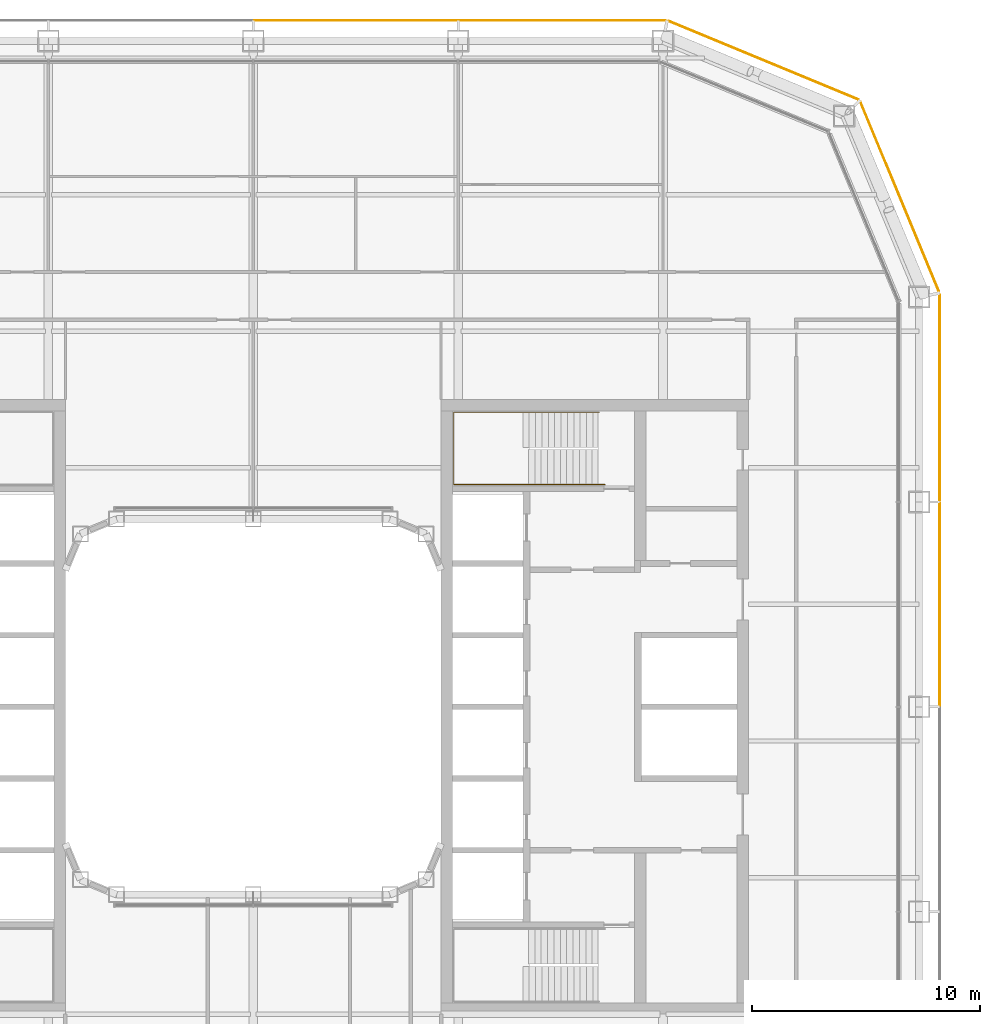
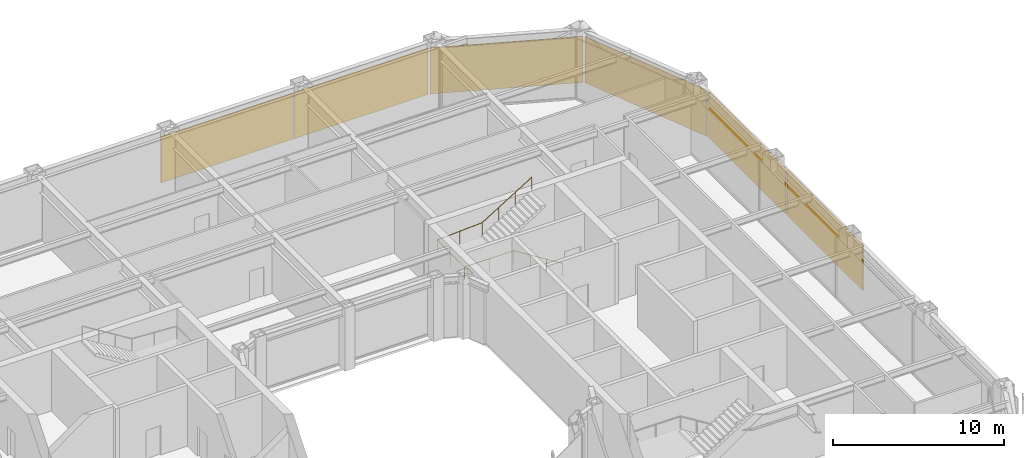
# One storey, part 22 of 23: 6 coverings, 1 railing.
"""IFC4 building model written with IfcOpenShell, lengths in metres."""

from ifc_helpers import new_model, si_unit, direction, frame, origin, origin_2d, place, context, subcontext, project, spatial, rectangle, circle, extrude, material, layer, layer_set, type_object, element, save


model = new_model("IFC4")

# Units and contexts
model_context = context("Model", 3, precision=1e-05, world=origin(), true_north=direction((0.0, 1.0)))
body_context = subcontext(model_context, "Body", "Model", "MODEL_VIEW")
ifc_project = project(units=[si_unit("LENGTHUNIT", "METRE"), si_unit("AREAUNIT", "SQUARE_METRE"), si_unit("VOLUMEUNIT", "CUBIC_METRE"), si_unit("PLANEANGLEUNIT", "RADIAN"), si_unit("MASSUNIT", "GRAM", prefix="KILO")], contexts=[model_context])

# Site, building, storey
site_placement = place(None, origin())
site = spatial("IfcSite", under=ifc_project, at=site_placement, CompositionType="ELEMENT")
building_placement = place(site_placement, origin())
building = spatial("IfcBuilding", under=site, at=building_placement, Name="Siwar Civic Tower", CompositionType="ELEMENT")
storey_placement = place(building_placement, frame((0.0, 0.0, 109.199951171875)))
storey = spatial("IfcBuildingStorey", under=building, at=storey_placement, Name="L23", CompositionType="ELEMENT", Elevation=109.199951171875)

# Railing
ifc_material_1 = material(Name="Stainless steel", Category="steel")
railing_type = type_object("IfcRailingType", Name="CORE-STAIR-HANDRAIL", PredefinedType="HANDRAIL", material=ifc_material_1)
railing_placement = place(storey_placement, frame((15.449951171875, 9.758056640625, 0.173095703125)))
element("IfcRailing", 1, at=railing_placement, inside=storey, type_object=railing_type, Name="Stair handrail ST3", PredefinedType="HANDRAIL", context=body_context, shape_type="SweptSolid", body=[
    extrude(circle(Radius=0.02001953125, at=origin_2d()), frame((0.0, 0.0, 0.8798828125), z_axis=(-0.847063342986, 0.0, 0.531491950051), x_axis=(0.0, -1.0, 0.0)), (0.0, 0.0, 1.0), 3.90771484375),
    extrude(circle(Radius=0.02001953125, at=origin_2d()), frame((-3.31005859375, 0.0, 2.956787109375), z_axis=(-1.0, 0.0, 0.0), x_axis=(0.0, -1.0, 0.0)), (0.0, 0.0, 1.0), 3.331787109375),
    extrude(circle(Radius=0.02001953125, at=origin_2d()), frame((-6.641845703125, 0.0, 2.956787109375), z_axis=(0.0, 1.0, 0.0), x_axis=(-1.0, 0.0, 0.0)), (0.0, 0.0, 1.0), 3.183837890625),
    extrude(circle(Radius=0.02001953125, at=origin_2d()), frame((-6.641845703125, 3.183837890625, 2.956787109375), z_axis=(0.99837434197, 0.0, 0.056997134106), x_axis=(0.0, 1.0, 0.0)), (0.0, 0.0, 1.0), 3.036865234375),
    extrude(circle(Radius=0.02001953125, at=origin_2d()), frame((-3.60986328125, 3.183837890625, 3.1298828125), z_axis=(0.850606129759, 0.0, 0.525803396734), x_axis=(0.0, 1.0, 0.0)), (0.0, 0.0, 1.0), 3.949951171875),
    extrude(circle(Radius=0.02001953125, at=origin_2d()), origin(), (0.0, 0.0, 1.0), 0.85986328125),
    extrude(circle(Radius=0.02001953125, at=origin_2d()), frame((-1.103271484375, 0.0, 0.6923828125)), (0.0, 0.0, 1.0), 0.85986328125),
    extrude(circle(Radius=0.02001953125, at=origin_2d()), frame((-2.206787109375, 0.0, 1.384521484375)), (0.0, 0.0, 1.0), 0.85986328125),
    extrude(circle(Radius=0.02001953125, at=origin_2d()), frame((-3.31005859375, 0.0, 2.076904296875)), (0.0, 0.0, 1.0), 0.85986328125),
    extrude(circle(Radius=0.02001953125, at=origin_2d()), frame((-4.97607421875, 0.0, 2.076904296875)), (0.0, 0.0, 1.0), 0.85986328125),
    extrude(circle(Radius=0.02001953125, at=origin_2d()), frame((-6.641845703125, 0.0, 2.076904296875)), (0.0, 0.0, 1.0), 0.85986328125),
    extrude(circle(Radius=0.02001953125, at=origin_2d()), frame((-6.641845703125, 1.591796875, 2.076904296875)), (0.0, 0.0, 1.0), 0.85986328125),
    extrude(circle(Radius=0.02001953125, at=origin_2d()), frame((-6.641845703125, 3.183837890625, 2.076904296875)), (0.0, 0.0, 1.0), 0.85986328125),
    extrude(circle(Radius=0.02001953125, at=origin_2d()), frame((-5.1259765625, 3.183837890625, 2.16357421875)), (0.0, 0.0, 1.0), 0.85986328125),
    extrude(circle(Radius=0.02001953125, at=origin_2d()), frame((-3.60986328125, 3.183837890625, 2.25)), (0.0, 0.0, 1.0), 0.85986328125),
    extrude(circle(Radius=0.02001953125, at=origin_2d()), frame((-2.489990234375, 3.183837890625, 2.9423828125)), (0.0, 0.0, 1.0), 0.85986328125),
    extrude(circle(Radius=0.02001953125, at=origin_2d()), frame((-1.369873046875, 3.183837890625, 3.634521484375)), (0.0, 0.0, 1.0), 0.85986328125),
    extrude(circle(Radius=0.02001953125, at=origin_2d()), frame((-0.25, 3.183837890625, 4.326904296875)), (0.0, 0.0, 1.0), 0.85986328125),
])

# Coverings
ifc_material_2 = material(Name="Perforated aluminium cassette, pale metal", Category="aluminium")
ifc_layer = layer(ifc_material_2, 0.0400390625)
ifc_layer_set = layer_set([ifc_layer], Name="Perforated aluminium cassette, pale metal")
covering_type = type_object("IfcCoveringType", Name="ENV-OUTER SKIN OS-1", PredefinedType="CLADDING", material=ifc_layer_set)
covering_1_placement = place(storey_placement, frame((30.14990234375, 4.5, -0.14990234375), z_axis=(0.0, 0.0, 1.0), x_axis=(0.0, 1.0, 0.0)))
element("IfcCovering", 2, at=covering_1_placement, inside=storey, type_object=covering_type, Name="OUTER SKIN OS-1 E 3", PredefinedType="CLADDING", context=body_context, shape_type="SweptSolid", body=[
    extrude(rectangle(XDim=8.89990234375, YDim=0.0400390625, at=origin_2d()), origin(), (0.0, 0.0, 1.0), 3.300048828125),
])
covering_2_placement = place(storey_placement, frame((30.14990234375, 13.57958984375, -0.14990234375), z_axis=(0.0, 0.0, 1.0), x_axis=(0.0, 1.0, 0.0)))
element("IfcCovering", 3, at=covering_2_placement, inside=storey, type_object=covering_type, Name="OUTER SKIN OS-1 E 4", PredefinedType="CLADDING", context=body_context, shape_type="SweptSolid", body=[
    extrude(rectangle(XDim=9.05908203125, YDim=0.0400390625, at=origin_2d()), origin(), (0.0, 0.0, 1.0), 3.300048828125),
])
for number, where, z_axis, x_axis, name in (
    (4, (28.39697265625, 22.411376953125, -0.14990234375), (0.0, 0.0, 1.0), (-0.382683432365, 0.923879532511, 0.0), "OUTER SKIN OS-1 NE1 1"),
    (5, (22.411376953125, 28.39697265625, -0.14990234375), (0.0, 0.0, 1.0), (-0.923879532511, 0.382683432365, 0.0), "OUTER SKIN OS-1 NE2 1"),
):
    element("IfcCovering", number, at=place(storey_placement, frame(where, z_axis=z_axis, x_axis=x_axis)), inside=storey, type_object=covering_type, Name=name, PredefinedType="CLADDING", context=body_context, shape_type="SweptSolid", body=[
        extrude(rectangle(XDim=9.022216796875, YDim=0.0400390625, at=origin_2d()), origin(), (0.0, 0.0, 1.0), 3.300048828125),
    ])
covering_3_placement = place(storey_placement, frame((13.57958984375, 30.14990234375, -0.14990234375), z_axis=(0.0, 0.0, 1.0), x_axis=(-1.0, 0.0, 0.0)))
element("IfcCovering", 6, at=covering_3_placement, inside=storey, type_object=covering_type, Name="OUTER SKIN OS-1 N 1", PredefinedType="CLADDING", context=body_context, shape_type="SweptSolid", body=[
    extrude(rectangle(XDim=9.05908203125, YDim=0.0400390625, at=origin_2d()), origin(), (0.0, 0.0, 1.0), 3.300048828125),
])
covering_4_placement = place(storey_placement, frame((4.5, 30.14990234375, -0.14990234375), z_axis=(0.0, 0.0, 1.0), x_axis=(-1.0, 0.0, 0.0)))
element("IfcCovering", 7, at=covering_4_placement, inside=storey, type_object=covering_type, Name="OUTER SKIN OS-1 N 2", PredefinedType="CLADDING", context=body_context, shape_type="SweptSolid", body=[
    extrude(rectangle(XDim=8.89990234375, YDim=0.0400390625, at=origin_2d()), origin(), (0.0, 0.0, 1.0), 3.300048828125),
])

save(model, "model.ifc")
